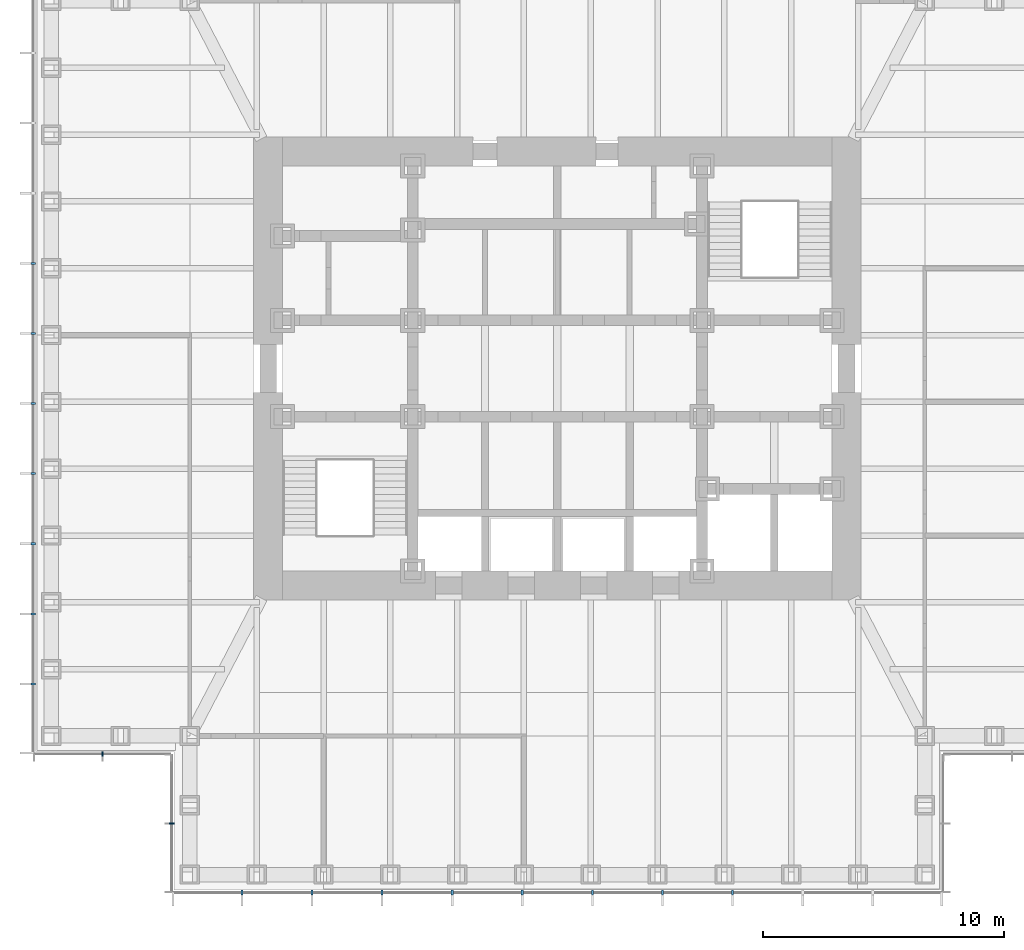
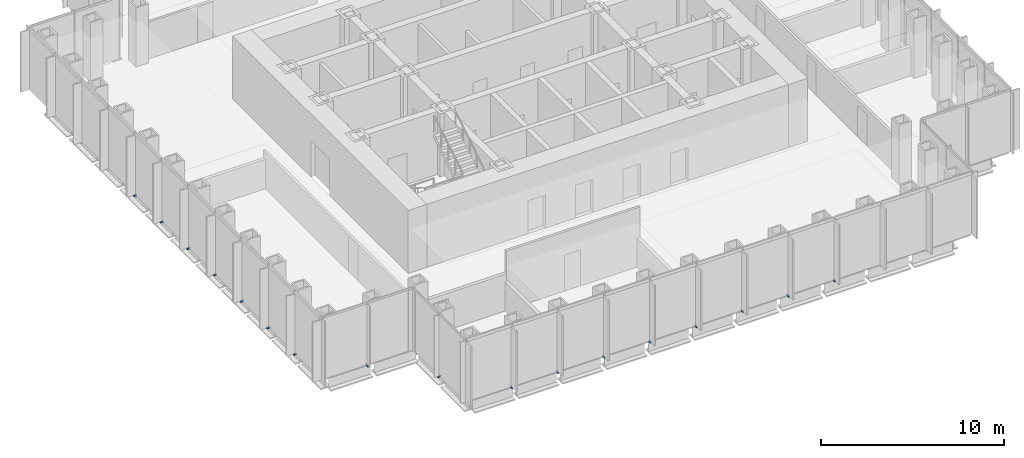
# One storey, part 11 of 16: 17 discrete accessories.
"""IFC4 building model written with IfcOpenShell, lengths in metres."""

from ifc_helpers import new_model, si_unit, direction, frame, origin, origin_2d, place, context, subcontext, project, spatial, rectangle, extrude, element, save


model = new_model("IFC4")

# Units and contexts
model_context = context("Model", 3, precision=1e-05, world=origin(), true_north=direction((0.0, 1.0)))
body_context = subcontext(model_context, "Body", "Model", "MODEL_VIEW")
ifc_project = project(units=[si_unit("LENGTHUNIT", "METRE"), si_unit("AREAUNIT", "SQUARE_METRE"), si_unit("VOLUMEUNIT", "CUBIC_METRE"), si_unit("PLANEANGLEUNIT", "RADIAN"), si_unit("MASSUNIT", "GRAM", prefix="KILO")], contexts=[model_context])

# Site, building, storey
site_placement = place(None, origin())
site = spatial("IfcSite", under=ifc_project, at=site_placement, CompositionType="ELEMENT")
building_placement = place(site_placement, origin())
building = spatial("IfcBuilding", under=site, at=building_placement, Name="Daluyong Arena Tower", CompositionType="ELEMENT")
storey_placement = place(building_placement, frame((0.0, 0.0, 275.5)))
storey = spatial("IfcBuildingStorey", under=building, at=storey_placement, Name="L62", CompositionType="ELEMENT", Elevation=275.5)

# Discrete accessories
for number, where, z_axis, x_axis, name in (
    (1, (42.9091796875, 58.25, -0.10009765625), (0.0, 0.0, 1.0), (1.0, 0.0, 0.0), "curtain wall L62 S anchor bracket 2"),
    (2, (45.818115234375, 58.25, -0.10009765625), (0.0, 0.0, 1.0), (1.0, 0.0, 0.0), "curtain wall L62 S anchor bracket 3"),
    (3, (48.727294921875, 58.25, -0.10009765625), (0.0, 0.0, 1.0), (1.0, 0.0, 0.0), "curtain wall L62 S anchor bracket 4"),
    (4, (51.636474609375, 58.25, -0.10009765625), (0.0, 0.0, 1.0), (1.0, 0.0, 0.0), "curtain wall L62 S anchor bracket 5"),
    (5, (54.54541015625, 58.25, -0.10009765625), (0.0, 0.0, 1.0), (1.0, 0.0, 0.0), "curtain wall L62 S anchor bracket 6"),
    (6, (57.45458984375, 58.25, -0.10009765625), (0.0, 0.0, 1.0), (1.0, 0.0, 0.0), "curtain wall L62 S anchor bracket 7"),
    (7, (60.363525390625, 58.25, -0.10009765625), (0.0, 0.0, 1.0), (1.0, 0.0, 0.0), "curtain wall L62 S anchor bracket 8"),
    (8, (63.272705078125, 58.25, -0.10009765625), (0.0, 0.0, 1.0), (1.0, 0.0, 0.0), "curtain wall L62 S anchor bracket 9"),
    (9, (34.25, 84.363525390625, -0.10009765625), (0.0, 0.0, 1.0), (0.0, -1.0, 0.0), "curtain wall L62 W anchor bracket 5"),
    (10, (34.25, 81.45458984375, -0.10009765625), (0.0, 0.0, 1.0), (0.0, -1.0, 0.0), "curtain wall L62 W anchor bracket 6"),
    (11, (34.25, 78.54541015625, -0.10009765625), (0.0, 0.0, 1.0), (0.0, -1.0, 0.0), "curtain wall L62 W anchor bracket 7"),
    (12, (34.25, 75.636474609375, -0.10009765625), (0.0, 0.0, 1.0), (0.0, -1.0, 0.0), "curtain wall L62 W anchor bracket 8"),
    (13, (34.25, 72.727294921875, -0.10009765625), (0.0, 0.0, 1.0), (0.0, -1.0, 0.0), "curtain wall L62 W anchor bracket 9"),
    (14, (34.25, 69.818115234375, -0.10009765625), (0.0, 0.0, 1.0), (0.0, -1.0, 0.0), "curtain wall L62 W anchor bracket 10"),
    (15, (34.25, 66.9091796875, -0.10009765625), (0.0, 0.0, 1.0), (0.0, -1.0, 0.0), "curtain wall L62 W anchor bracket 11"),
):
    element("IfcDiscreteAccessory", number, at=place(storey_placement, frame(where, z_axis=z_axis, x_axis=x_axis)), inside=storey, Name=name, PredefinedType="BRACKET", context=body_context, shape_type="SweptSolid", body=[
        extrude(rectangle(XDim=0.090087890625, YDim=0.199951171875, at=origin_2d()), origin(), (0.0, 0.0, 1.0), 0.10009765625),
    ])
for number, where, z_axis, x_axis, name in (
    (16, (37.125, 64.0, -0.10009765625), (0.0, 0.0, 1.0), (1.0, 0.0, 0.0), "curtain wall L62 SW-S anchor bracket 2"),
    (17, (40.0, 61.125, -0.10009765625), (0.0, 0.0, 1.0), (0.0, -1.0, 0.0), "curtain wall L62 SW-W anchor bracket 2"),
):
    element("IfcDiscreteAccessory", number, at=place(storey_placement, frame(where, z_axis=z_axis, x_axis=x_axis)), inside=storey, Name=name, PredefinedType="BRACKET", context=body_context, shape_type="SweptSolid", body=[
        extrude(rectangle(XDim=0.06005859375, YDim=0.199951171875, at=origin_2d()), origin(), (0.0, 0.0, 1.0), 0.10009765625),
    ])

save(model, "model.ifc")
